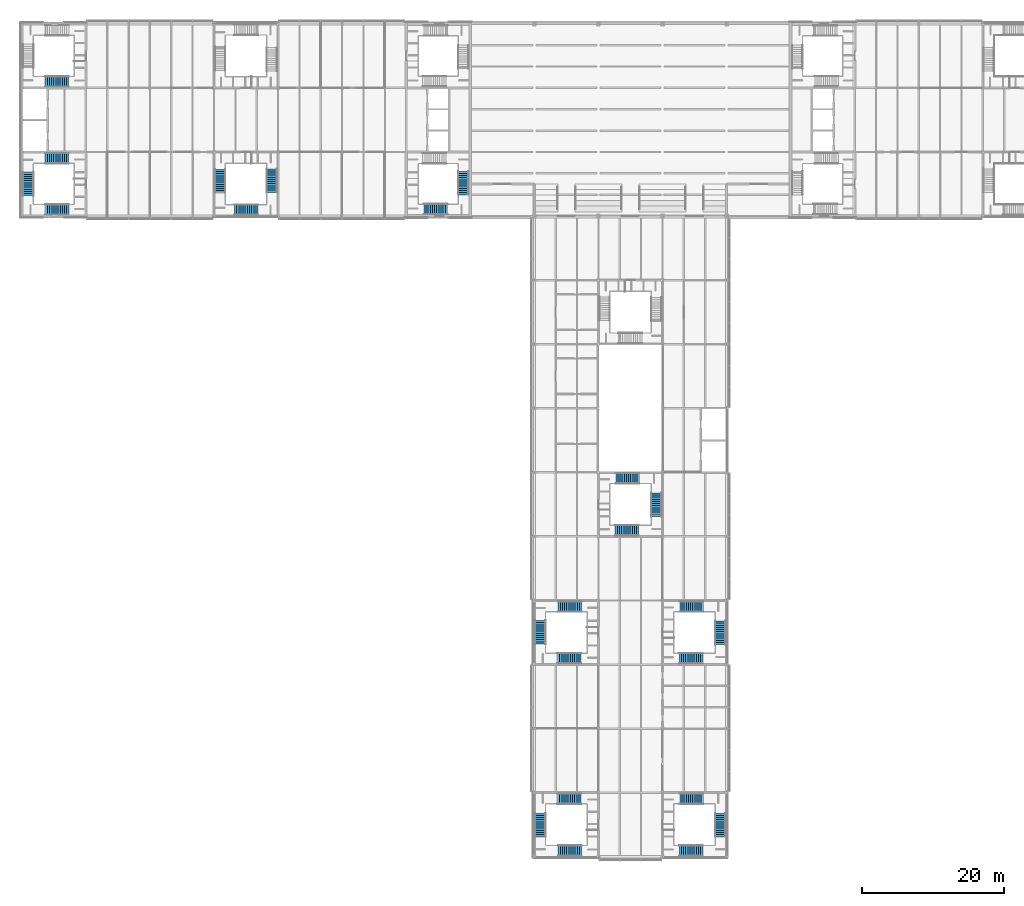
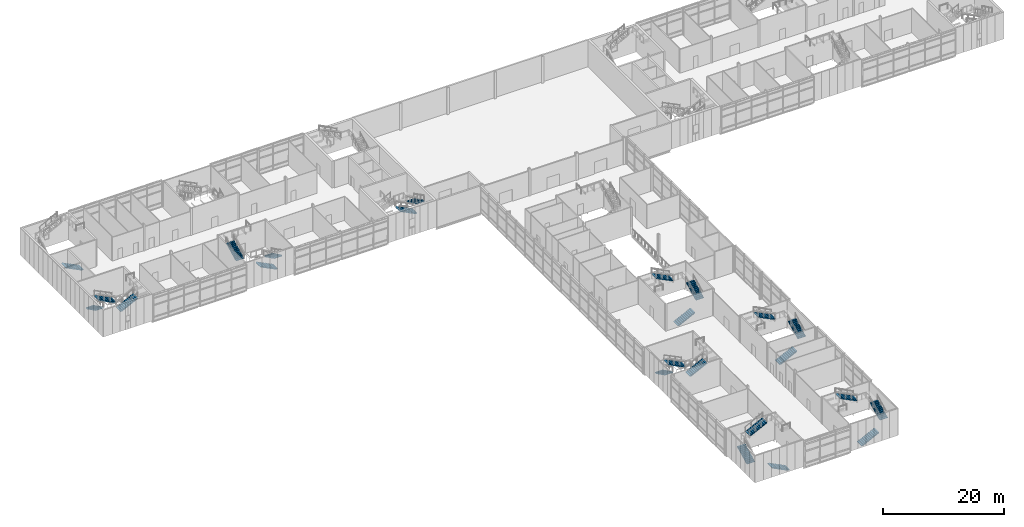
# One storey, part 40 of 52: 24 stair flights, 9 elements without a shape of their own.
"""IFC4 building model written with IfcOpenShell, lengths in metres."""

from ifc_helpers import new_model, si_unit, direction, frame, origin, place, context, subcontext, project, spatial, polyline, outline, extrude, material, type_object, element, aggregate, save


model = new_model("IFC4")

# Units and contexts
model_context = context("Model", 3, precision=1e-05, world=origin(), true_north=direction((0.0, 1.0)))
body_context = subcontext(model_context, "Body", "Model", "MODEL_VIEW")
ifc_project = project(units=[si_unit("LENGTHUNIT", "METRE"), si_unit("AREAUNIT", "SQUARE_METRE"), si_unit("VOLUMEUNIT", "CUBIC_METRE"), si_unit("PLANEANGLEUNIT", "RADIAN"), si_unit("MASSUNIT", "GRAM", prefix="KILO")], contexts=[model_context])

# Site, building, storey
site_placement = place(None, origin())
site = spatial("IfcSite", under=ifc_project, at=site_placement, CompositionType="ELEMENT")
building_placement = place(site_placement, origin())
building = spatial("IfcBuilding", under=site, at=building_placement, Name="Azimuth Sports and Learning Centre", CompositionType="ELEMENT")
storey_placement = place(building_placement, frame((0.0, 0.0, 16.199951171875)))
storey = spatial("IfcBuildingStorey", under=building, at=storey_placement, Name="L03", CompositionType="ELEMENT", Elevation=16.199951171875)

# Stair, stair flights
ifc_material_1 = material(Name="Concrete C32/40", Category="concrete")
stair_type_1 = type_object("IfcStairType", Name="Square-well stair core 5400 storey", PredefinedType="THREE_QUARTER_TURN_STAIR", material=ifc_material_1)
stair_1_placement = place(storey_placement, origin())
stair_1 = element("IfcStair", 1, at=stair_1_placement, inside=storey, type_object=stair_type_1, Name="Stair W1 L03-L04", PredefinedType="THREE_QUARTER_TURN_STAIR")
ifc_material_2 = material(Name="Concrete C32/40", Category="concrete")
stair_flight_type = type_object("IfcStairFlightType", Name="Stair flight 12 risers", PredefinedType="STRAIGHT", material=ifc_material_2)
stair_flight_1_placement = place(storey_placement, frame((62.0400390625, 96.2900390625, 1.800048828125), z_axis=(0.0, 0.0, 1.0), x_axis=(0.0, -1.0, 0.0)))
stair_flight_1 = element("IfcStairFlight", 2, at=stair_flight_1_placement, type_object=stair_flight_type, Name="Stair W1 L03 flight 2", NumberOfRisers=12, NumberOfTreads=11, PredefinedType="STRAIGHT", RiserHeight=0.15, TreadLength=0.3, context=body_context, shape_type="SweptSolid", body=[
    extrude(outline(polyline([(0.0, 0.0), (0.0, 0.14990234375), (0.300048828125, 0.14990234375), (0.300048828125, 0.300048828125), (0.60009765625, 0.300048828125), (0.60009765625, 0.449951171875), (0.89990234375, 0.449951171875), (0.89990234375, 0.60009765625), (1.199951171875, 0.60009765625), (1.199951171875, 0.75), (1.5, 0.75), (1.5, 0.89990234375), (1.800048828125, 0.89990234375), (1.800048828125, 1.050048828125), (2.10009765625, 1.050048828125), (2.10009765625, 1.199951171875), (2.39990234375, 1.199951171875), (2.39990234375, 1.35009765625), (2.699951171875, 1.35009765625), (2.699951171875, 1.5), (3.0, 1.5), (3.0, 1.64990234375), (3.300048828125, 1.64990234375), (3.300048828125, 1.800048828125), (3.300048828125, 1.482421875), (0.335205078125, 0.0), (0.0, 0.0)])), frame((0.0, 0.75, 0.0), z_axis=(0.0, -1.0, 0.0), x_axis=(1.0, 0.0, 0.0)), (0.0, 0.0, 1.0), 1.5),
])
stair_flight_2_placement = place(storey_placement, frame((59.7900390625, 90.9599609375, 3.60009765625), z_axis=(0.0, 0.0, 1.0), x_axis=(-1.0, 0.0, 0.0)))
stair_flight_2 = element("IfcStairFlight", 3, at=stair_flight_2_placement, type_object=stair_flight_type, Name="Stair W1 L03 flight 3", NumberOfRisers=12, NumberOfTreads=11, PredefinedType="STRAIGHT", RiserHeight=0.15, TreadLength=0.3, context=body_context, shape_type="SweptSolid", body=[
    extrude(outline(polyline([(0.0, 0.0), (0.0, 0.14990234375), (0.300048828125, 0.14990234375), (0.300048828125, 0.300048828125), (0.60009765625, 0.300048828125), (0.60009765625, 0.449951171875), (0.89990234375, 0.449951171875), (0.89990234375, 0.60009765625), (1.199951171875, 0.60009765625), (1.199951171875, 0.75), (1.5, 0.75), (1.5, 0.89990234375), (1.800048828125, 0.89990234375), (1.800048828125, 1.050048828125), (2.10009765625, 1.050048828125), (2.10009765625, 1.199951171875), (2.39990234375, 1.199951171875), (2.39990234375, 1.35009765625), (2.699951171875, 1.35009765625), (2.699951171875, 1.5), (3.0, 1.5), (3.0, 1.64990234375), (3.300048828125, 1.64990234375), (3.300048828125, 1.800048828125), (3.300048828125, 1.482421875), (0.335205078125, 0.0), (0.0, 0.0)])), frame((0.0, 0.75, 0.0), z_axis=(0.0, -1.0, 0.0), x_axis=(1.0, 0.0, 0.0)), (0.0, 0.0, 1.0), 1.5),
])
aggregate(stair_1, [stair_flight_1, stair_flight_2])

ifc_material_3 = material(Name="Concrete C32/40", Category="concrete")
stair_type_2 = type_object("IfcStairType", Name="Square-well stair end core 5400 storey", PredefinedType="THREE_QUARTER_TURN_STAIR", material=ifc_material_3)
stair_2_placement = place(storey_placement, origin())
stair_2 = element("IfcStair", 4, at=stair_2_placement, inside=storey, type_object=stair_type_2, Name="Stair WW1 L03-L04", PredefinedType="THREE_QUARTER_TURN_STAIR")
stair_flight_3_placement = place(storey_placement, frame((6.590087890625, 98.114990234375, 0.0), z_axis=(0.0, 0.0, 1.0), x_axis=(-1.0, 0.0, 0.0)))
stair_flight_3 = element("IfcStairFlight", 5, at=stair_flight_3_placement, type_object=stair_flight_type, Name="Stair WW1 L03 flight 1", NumberOfRisers=12, NumberOfTreads=11, PredefinedType="STRAIGHT", RiserHeight=0.15, TreadLength=0.3, context=body_context, shape_type="SweptSolid", body=[
    extrude(outline(polyline([(0.0, 0.0), (0.0, 0.14990234375), (0.300048828125, 0.14990234375), (0.300048828125, 0.300048828125), (0.60009765625, 0.300048828125), (0.60009765625, 0.449951171875), (0.89990234375, 0.449951171875), (0.89990234375, 0.60009765625), (1.199951171875, 0.60009765625), (1.199951171875, 0.75), (1.5, 0.75), (1.5, 0.89990234375), (1.800048828125, 0.89990234375), (1.800048828125, 1.050048828125), (2.10009765625, 1.050048828125), (2.10009765625, 1.199951171875), (2.39990234375, 1.199951171875), (2.39990234375, 1.35009765625), (2.699951171875, 1.35009765625), (2.699951171875, 1.5), (3.0, 1.5), (3.0, 1.64990234375), (3.300048828125, 1.64990234375), (3.300048828125, 1.800048828125), (3.300048828125, 1.482421875), (0.335205078125, 0.0), (0.0, 0.0)])), frame((0.0, 0.75, 0.0), z_axis=(0.0, -1.0, 0.0), x_axis=(1.0, 0.0, 0.0)), (0.0, 0.0, 1.0), 1.5),
])
stair_flight_4_placement = place(storey_placement, frame((0.909912109375, 96.1650390625, 1.800048828125), z_axis=(0.0, 0.0, 1.0), x_axis=(0.0, -1.0, 0.0)))
stair_flight_4 = element("IfcStairFlight", 6, at=stair_flight_4_placement, type_object=stair_flight_type, Name="Stair WW1 L03 flight 2", NumberOfRisers=12, NumberOfTreads=11, PredefinedType="STRAIGHT", RiserHeight=0.15, TreadLength=0.3, context=body_context, shape_type="SweptSolid", body=[
    extrude(outline(polyline([(0.0, 0.0), (0.0, 0.14990234375), (0.300048828125, 0.14990234375), (0.300048828125, 0.300048828125), (0.60009765625, 0.300048828125), (0.60009765625, 0.449951171875), (0.89990234375, 0.449951171875), (0.89990234375, 0.60009765625), (1.199951171875, 0.60009765625), (1.199951171875, 0.75), (1.5, 0.75), (1.5, 0.89990234375), (1.800048828125, 0.89990234375), (1.800048828125, 1.050048828125), (2.10009765625, 1.050048828125), (2.10009765625, 1.199951171875), (2.39990234375, 1.199951171875), (2.39990234375, 1.35009765625), (2.699951171875, 1.35009765625), (2.699951171875, 1.5), (3.0, 1.5), (3.0, 1.64990234375), (3.300048828125, 1.64990234375), (3.300048828125, 1.800048828125), (3.300048828125, 1.482421875), (0.335205078125, 0.0), (0.0, 0.0)])), frame((0.0, 0.75, 0.0), z_axis=(0.0, -1.0, 0.0), x_axis=(1.0, 0.0, 0.0)), (0.0, 0.0, 1.0), 1.5),
])
stair_flight_5_placement = place(storey_placement, frame((3.31005859375, 90.909912109375, 3.60009765625), z_axis=(0.0, 0.0, 1.0), x_axis=(1.0, 0.0, 0.0)))
stair_flight_5 = element("IfcStairFlight", 7, at=stair_flight_5_placement, type_object=stair_flight_type, Name="Stair WW1 L03 flight 3", NumberOfRisers=12, NumberOfTreads=11, PredefinedType="STRAIGHT", RiserHeight=0.15, TreadLength=0.3, context=body_context, shape_type="SweptSolid", body=[
    extrude(outline(polyline([(0.0, 0.0), (0.0, 0.14990234375), (0.300048828125, 0.14990234375), (0.300048828125, 0.300048828125), (0.60009765625, 0.300048828125), (0.60009765625, 0.449951171875), (0.89990234375, 0.449951171875), (0.89990234375, 0.60009765625), (1.199951171875, 0.60009765625), (1.199951171875, 0.75), (1.5, 0.75), (1.5, 0.89990234375), (1.800048828125, 0.89990234375), (1.800048828125, 1.050048828125), (2.10009765625, 1.050048828125), (2.10009765625, 1.199951171875), (2.39990234375, 1.199951171875), (2.39990234375, 1.35009765625), (2.699951171875, 1.35009765625), (2.699951171875, 1.5), (3.0, 1.5), (3.0, 1.64990234375), (3.300048828125, 1.64990234375), (3.300048828125, 1.800048828125), (3.300048828125, 1.482421875), (0.335205078125, 0.0), (0.0, 0.0)])), frame((0.0, 0.75, 0.0), z_axis=(0.0, -1.0, 0.0), x_axis=(1.0, 0.0, 0.0)), (0.0, 0.0, 1.0), 1.5),
])
aggregate(stair_2, [stair_flight_3, stair_flight_4, stair_flight_5])

# Stair, stair flight
stair_3_placement = place(storey_placement, origin())
stair_3 = element("IfcStair", 8, at=stair_3_placement, inside=storey, type_object=stair_type_2, Name="Stair WW2 L03-L04", PredefinedType="THREE_QUARTER_TURN_STAIR")
stair_flight_6_placement = place(storey_placement, frame((6.590087890625, 108.885009765625, 0.0), z_axis=(0.0, 0.0, 1.0), x_axis=(-1.0, 0.0, 0.0)))
stair_flight_6 = element("IfcStairFlight", 9, at=stair_flight_6_placement, type_object=stair_flight_type, Name="Stair WW2 L03 flight 1", NumberOfRisers=12, NumberOfTreads=11, PredefinedType="STRAIGHT", RiserHeight=0.15, TreadLength=0.3, context=body_context, shape_type="SweptSolid", body=[
    extrude(outline(polyline([(0.0, 0.0), (0.0, 0.14990234375), (0.300048828125, 0.14990234375), (0.300048828125, 0.300048828125), (0.60009765625, 0.300048828125), (0.60009765625, 0.449951171875), (0.89990234375, 0.449951171875), (0.89990234375, 0.60009765625), (1.199951171875, 0.60009765625), (1.199951171875, 0.75), (1.5, 0.75), (1.5, 0.89990234375), (1.800048828125, 0.89990234375), (1.800048828125, 1.050048828125), (2.10009765625, 1.050048828125), (2.10009765625, 1.199951171875), (2.39990234375, 1.199951171875), (2.39990234375, 1.35009765625), (2.699951171875, 1.35009765625), (2.699951171875, 1.5), (3.0, 1.5), (3.0, 1.64990234375), (3.300048828125, 1.64990234375), (3.300048828125, 1.800048828125), (3.300048828125, 1.482421875), (0.335205078125, 0.0), (0.0, 0.0)])), frame((0.0, 0.75, 0.0), z_axis=(0.0, -1.0, 0.0), x_axis=(1.0, 0.0, 0.0)), (0.0, 0.0, 1.0), 1.5),
])
aggregate(stair_3, [stair_flight_6])

# Stair, stair flights
ifc_material_4 = material(Name="Concrete C32/40", Category="concrete")
stair_type_3 = type_object("IfcStairType", Name="Square-well stair mid-wing cell 5400 storey", PredefinedType="THREE_QUARTER_TURN_STAIR", material=ifc_material_4)
stair_4_placement = place(storey_placement, origin())
stair_4 = element("IfcStair", 10, at=stair_4_placement, inside=storey, type_object=stair_type_3, Name="Stair WM1 L03-L04", PredefinedType="THREE_QUARTER_TURN_STAIR")
stair_flight_7_placement = place(storey_placement, frame((35.139892578125, 96.639892578125, 0.0), z_axis=(0.0, 0.0, 1.0), x_axis=(0.0, -1.0, 0.0)))
stair_flight_7 = element("IfcStairFlight", 11, at=stair_flight_7_placement, type_object=stair_flight_type, Name="Stair WM1 L03 flight 1", NumberOfRisers=12, NumberOfTreads=11, PredefinedType="STRAIGHT", RiserHeight=0.15, TreadLength=0.3, context=body_context, shape_type="SweptSolid", body=[
    extrude(outline(polyline([(0.0, 0.0), (0.0, 0.14990234375), (0.300048828125, 0.14990234375), (0.300048828125, 0.300048828125), (0.60009765625, 0.300048828125), (0.60009765625, 0.449951171875), (0.89990234375, 0.449951171875), (0.89990234375, 0.60009765625), (1.199951171875, 0.60009765625), (1.199951171875, 0.75), (1.5, 0.75), (1.5, 0.89990234375), (1.800048828125, 0.89990234375), (1.800048828125, 1.050048828125), (2.10009765625, 1.050048828125), (2.10009765625, 1.199951171875), (2.39990234375, 1.199951171875), (2.39990234375, 1.35009765625), (2.699951171875, 1.35009765625), (2.699951171875, 1.5), (3.0, 1.5), (3.0, 1.64990234375), (3.300048828125, 1.64990234375), (3.300048828125, 1.800048828125), (3.300048828125, 1.482421875), (0.335205078125, 0.0), (0.0, 0.0)])), frame((0.0, 0.75, 0.0), z_axis=(0.0, -1.0, 0.0), x_axis=(1.0, 0.0, 0.0)), (0.0, 0.0, 1.0), 1.5),
])
stair_flight_8_placement = place(storey_placement, frame((33.18994140625, 90.860107421875, 1.800048828125), z_axis=(0.0, 0.0, 1.0), x_axis=(-1.0, 0.0, 0.0)))
stair_flight_8 = element("IfcStairFlight", 12, at=stair_flight_8_placement, type_object=stair_flight_type, Name="Stair WM1 L03 flight 2", NumberOfRisers=12, NumberOfTreads=11, PredefinedType="STRAIGHT", RiserHeight=0.15, TreadLength=0.3, context=body_context, shape_type="SweptSolid", body=[
    extrude(outline(polyline([(0.0, 0.0), (0.0, 0.14990234375), (0.300048828125, 0.14990234375), (0.300048828125, 0.300048828125), (0.60009765625, 0.300048828125), (0.60009765625, 0.449951171875), (0.89990234375, 0.449951171875), (0.89990234375, 0.60009765625), (1.199951171875, 0.60009765625), (1.199951171875, 0.75), (1.5, 0.75), (1.5, 0.89990234375), (1.800048828125, 0.89990234375), (1.800048828125, 1.050048828125), (2.10009765625, 1.050048828125), (2.10009765625, 1.199951171875), (2.39990234375, 1.199951171875), (2.39990234375, 1.35009765625), (2.699951171875, 1.35009765625), (2.699951171875, 1.5), (3.0, 1.5), (3.0, 1.64990234375), (3.300048828125, 1.64990234375), (3.300048828125, 1.800048828125), (3.300048828125, 1.482421875), (0.335205078125, 0.0), (0.0, 0.0)])), frame((0.0, 0.75, 0.0), z_axis=(0.0, -1.0, 0.0), x_axis=(1.0, 0.0, 0.0)), (0.0, 0.0, 1.0), 1.5),
])
stair_flight_9_placement = place(storey_placement, frame((27.860107421875, 93.260009765625, 3.60009765625), z_axis=(0.0, 0.0, 1.0), x_axis=(0.0, 1.0, 0.0)))
stair_flight_9 = element("IfcStairFlight", 13, at=stair_flight_9_placement, type_object=stair_flight_type, Name="Stair WM1 L03 flight 3", NumberOfRisers=12, NumberOfTreads=11, PredefinedType="STRAIGHT", RiserHeight=0.15, TreadLength=0.3, context=body_context, shape_type="SweptSolid", body=[
    extrude(outline(polyline([(0.0, 0.0), (0.0, 0.14990234375), (0.300048828125, 0.14990234375), (0.300048828125, 0.300048828125), (0.60009765625, 0.300048828125), (0.60009765625, 0.449951171875), (0.89990234375, 0.449951171875), (0.89990234375, 0.60009765625), (1.199951171875, 0.60009765625), (1.199951171875, 0.75), (1.5, 0.75), (1.5, 0.89990234375), (1.800048828125, 0.89990234375), (1.800048828125, 1.050048828125), (2.10009765625, 1.050048828125), (2.10009765625, 1.199951171875), (2.39990234375, 1.199951171875), (2.39990234375, 1.35009765625), (2.699951171875, 1.35009765625), (2.699951171875, 1.5), (3.0, 1.5), (3.0, 1.64990234375), (3.300048828125, 1.64990234375), (3.300048828125, 1.800048828125), (3.300048828125, 1.482421875), (0.335205078125, 0.0), (0.0, 0.0)])), frame((0.0, 0.75, 0.0), z_axis=(0.0, -1.0, 0.0), x_axis=(1.0, 0.0, 0.0)), (0.0, 0.0, 1.0), 1.5),
])
aggregate(stair_4, [stair_flight_7, stair_flight_8, stair_flight_9])

ifc_material_5 = material(Name="Concrete C32/40", Category="concrete")
stair_type_4 = type_object("IfcStairType", Name="Square-well stair stem cell 5400 storey", PredefinedType="THREE_QUARTER_TURN_STAIR", material=ifc_material_5)
stair_5_placement = place(storey_placement, origin())
stair_5 = element("IfcStair", 14, at=stair_5_placement, inside=storey, type_object=stair_type_4, Name="Stair ST1 L03-L04", PredefinedType="THREE_QUARTER_TURN_STAIR")
stair_flight_10_placement = place(storey_placement, frame((78.639892578125, 0.860107421875, 0.0), z_axis=(0.0, 0.0, 1.0), x_axis=(-1.0, 0.0, 0.0)))
stair_flight_10 = element("IfcStairFlight", 15, at=stair_flight_10_placement, type_object=stair_flight_type, Name="Stair ST1 L03 flight 1", NumberOfRisers=12, NumberOfTreads=11, PredefinedType="STRAIGHT", RiserHeight=0.15, TreadLength=0.3, context=body_context, shape_type="SweptSolid", body=[
    extrude(outline(polyline([(0.0, 0.0), (0.0, 0.14990234375), (0.300048828125, 0.14990234375), (0.300048828125, 0.300048828125), (0.60009765625, 0.300048828125), (0.60009765625, 0.449951171875), (0.89990234375, 0.449951171875), (0.89990234375, 0.60009765625), (1.199951171875, 0.60009765625), (1.199951171875, 0.75), (1.5, 0.75), (1.5, 0.89990234375), (1.800048828125, 0.89990234375), (1.800048828125, 1.050048828125), (2.10009765625, 1.050048828125), (2.10009765625, 1.199951171875), (2.39990234375, 1.199951171875), (2.39990234375, 1.35009765625), (2.699951171875, 1.35009765625), (2.699951171875, 1.5), (3.0, 1.5), (3.0, 1.64990234375), (3.300048828125, 1.64990234375), (3.300048828125, 1.800048828125), (3.300048828125, 1.482421875), (0.335205078125, 0.0), (0.0, 0.0)])), frame((0.0, 0.75, 0.0), z_axis=(0.0, -1.0, 0.0), x_axis=(1.0, 0.0, 0.0)), (0.0, 0.0, 1.0), 1.5),
])
stair_flight_11_placement = place(storey_placement, frame((72.860107421875, 2.81005859375, 1.800048828125), z_axis=(0.0, 0.0, 1.0), x_axis=(0.0, 1.0, 0.0)))
stair_flight_11 = element("IfcStairFlight", 16, at=stair_flight_11_placement, type_object=stair_flight_type, Name="Stair ST1 L03 flight 2", NumberOfRisers=12, NumberOfTreads=11, PredefinedType="STRAIGHT", RiserHeight=0.15, TreadLength=0.3, context=body_context, shape_type="SweptSolid", body=[
    extrude(outline(polyline([(0.0, 0.0), (0.0, 0.14990234375), (0.300048828125, 0.14990234375), (0.300048828125, 0.300048828125), (0.60009765625, 0.300048828125), (0.60009765625, 0.449951171875), (0.89990234375, 0.449951171875), (0.89990234375, 0.60009765625), (1.199951171875, 0.60009765625), (1.199951171875, 0.75), (1.5, 0.75), (1.5, 0.89990234375), (1.800048828125, 0.89990234375), (1.800048828125, 1.050048828125), (2.10009765625, 1.050048828125), (2.10009765625, 1.199951171875), (2.39990234375, 1.199951171875), (2.39990234375, 1.35009765625), (2.699951171875, 1.35009765625), (2.699951171875, 1.5), (3.0, 1.5), (3.0, 1.64990234375), (3.300048828125, 1.64990234375), (3.300048828125, 1.800048828125), (3.300048828125, 1.482421875), (0.335205078125, 0.0), (0.0, 0.0)])), frame((0.0, 0.75, 0.0), z_axis=(0.0, -1.0, 0.0), x_axis=(1.0, 0.0, 0.0)), (0.0, 0.0, 1.0), 1.5),
])
stair_flight_12_placement = place(storey_placement, frame((75.260009765625, 8.139892578125, 3.60009765625), z_axis=(0.0, 0.0, 1.0), x_axis=(1.0, 0.0, 0.0)))
stair_flight_12 = element("IfcStairFlight", 17, at=stair_flight_12_placement, type_object=stair_flight_type, Name="Stair ST1 L03 flight 3", NumberOfRisers=12, NumberOfTreads=11, PredefinedType="STRAIGHT", RiserHeight=0.15, TreadLength=0.3, context=body_context, shape_type="SweptSolid", body=[
    extrude(outline(polyline([(0.0, 0.0), (0.0, 0.14990234375), (0.300048828125, 0.14990234375), (0.300048828125, 0.300048828125), (0.60009765625, 0.300048828125), (0.60009765625, 0.449951171875), (0.89990234375, 0.449951171875), (0.89990234375, 0.60009765625), (1.199951171875, 0.60009765625), (1.199951171875, 0.75), (1.5, 0.75), (1.5, 0.89990234375), (1.800048828125, 0.89990234375), (1.800048828125, 1.050048828125), (2.10009765625, 1.050048828125), (2.10009765625, 1.199951171875), (2.39990234375, 1.199951171875), (2.39990234375, 1.35009765625), (2.699951171875, 1.35009765625), (2.699951171875, 1.5), (3.0, 1.5), (3.0, 1.64990234375), (3.300048828125, 1.64990234375), (3.300048828125, 1.800048828125), (3.300048828125, 1.482421875), (0.335205078125, 0.0), (0.0, 0.0)])), frame((0.0, 0.75, 0.0), z_axis=(0.0, -1.0, 0.0), x_axis=(1.0, 0.0, 0.0)), (0.0, 0.0, 1.0), 1.5),
])
aggregate(stair_5, [stair_flight_10, stair_flight_11, stair_flight_12])

stair_6_placement = place(storey_placement, origin())
stair_6 = element("IfcStair", 18, at=stair_6_placement, inside=storey, type_object=stair_type_4, Name="Stair ST2 L03-L04", PredefinedType="THREE_QUARTER_TURN_STAIR")
stair_flight_13_placement = place(storey_placement, frame((92.360107421875, 0.860107421875, 0.0), z_axis=(0.0, 0.0, 1.0), x_axis=(1.0, 0.0, 0.0)))
stair_flight_13 = element("IfcStairFlight", 19, at=stair_flight_13_placement, type_object=stair_flight_type, Name="Stair ST2 L03 flight 1", NumberOfRisers=12, NumberOfTreads=11, PredefinedType="STRAIGHT", RiserHeight=0.15, TreadLength=0.3, context=body_context, shape_type="SweptSolid", body=[
    extrude(outline(polyline([(0.0, 0.0), (0.0, 0.14990234375), (0.300048828125, 0.14990234375), (0.300048828125, 0.300048828125), (0.60009765625, 0.300048828125), (0.60009765625, 0.449951171875), (0.89990234375, 0.449951171875), (0.89990234375, 0.60009765625), (1.199951171875, 0.60009765625), (1.199951171875, 0.75), (1.5, 0.75), (1.5, 0.89990234375), (1.800048828125, 0.89990234375), (1.800048828125, 1.050048828125), (2.10009765625, 1.050048828125), (2.10009765625, 1.199951171875), (2.39990234375, 1.199951171875), (2.39990234375, 1.35009765625), (2.699951171875, 1.35009765625), (2.699951171875, 1.5), (3.0, 1.5), (3.0, 1.64990234375), (3.300048828125, 1.64990234375), (3.300048828125, 1.800048828125), (3.300048828125, 1.482421875), (0.335205078125, 0.0), (0.0, 0.0)])), frame((0.0, 0.75, 0.0), z_axis=(0.0, -1.0, 0.0), x_axis=(1.0, 0.0, 0.0)), (0.0, 0.0, 1.0), 1.5),
])
stair_flight_14_placement = place(storey_placement, frame((98.139892578125, 2.81005859375, 1.800048828125), z_axis=(0.0, 0.0, 1.0), x_axis=(0.0, 1.0, 0.0)))
stair_flight_14 = element("IfcStairFlight", 20, at=stair_flight_14_placement, type_object=stair_flight_type, Name="Stair ST2 L03 flight 2", NumberOfRisers=12, NumberOfTreads=11, PredefinedType="STRAIGHT", RiserHeight=0.15, TreadLength=0.3, context=body_context, shape_type="SweptSolid", body=[
    extrude(outline(polyline([(0.0, 0.0), (0.0, 0.14990234375), (0.300048828125, 0.14990234375), (0.300048828125, 0.300048828125), (0.60009765625, 0.300048828125), (0.60009765625, 0.449951171875), (0.89990234375, 0.449951171875), (0.89990234375, 0.60009765625), (1.199951171875, 0.60009765625), (1.199951171875, 0.75), (1.5, 0.75), (1.5, 0.89990234375), (1.800048828125, 0.89990234375), (1.800048828125, 1.050048828125), (2.10009765625, 1.050048828125), (2.10009765625, 1.199951171875), (2.39990234375, 1.199951171875), (2.39990234375, 1.35009765625), (2.699951171875, 1.35009765625), (2.699951171875, 1.5), (3.0, 1.5), (3.0, 1.64990234375), (3.300048828125, 1.64990234375), (3.300048828125, 1.800048828125), (3.300048828125, 1.482421875), (0.335205078125, 0.0), (0.0, 0.0)])), frame((0.0, 0.75, 0.0), z_axis=(0.0, -1.0, 0.0), x_axis=(1.0, 0.0, 0.0)), (0.0, 0.0, 1.0), 1.5),
])
stair_flight_15_placement = place(storey_placement, frame((95.739990234375, 8.139892578125, 3.60009765625), z_axis=(0.0, 0.0, 1.0), x_axis=(-1.0, 0.0, 0.0)))
stair_flight_15 = element("IfcStairFlight", 21, at=stair_flight_15_placement, type_object=stair_flight_type, Name="Stair ST2 L03 flight 3", NumberOfRisers=12, NumberOfTreads=11, PredefinedType="STRAIGHT", RiserHeight=0.15, TreadLength=0.3, context=body_context, shape_type="SweptSolid", body=[
    extrude(outline(polyline([(0.0, 0.0), (0.0, 0.14990234375), (0.300048828125, 0.14990234375), (0.300048828125, 0.300048828125), (0.60009765625, 0.300048828125), (0.60009765625, 0.449951171875), (0.89990234375, 0.449951171875), (0.89990234375, 0.60009765625), (1.199951171875, 0.60009765625), (1.199951171875, 0.75), (1.5, 0.75), (1.5, 0.89990234375), (1.800048828125, 0.89990234375), (1.800048828125, 1.050048828125), (2.10009765625, 1.050048828125), (2.10009765625, 1.199951171875), (2.39990234375, 1.199951171875), (2.39990234375, 1.35009765625), (2.699951171875, 1.35009765625), (2.699951171875, 1.5), (3.0, 1.5), (3.0, 1.64990234375), (3.300048828125, 1.64990234375), (3.300048828125, 1.800048828125), (3.300048828125, 1.482421875), (0.335205078125, 0.0), (0.0, 0.0)])), frame((0.0, 0.75, 0.0), z_axis=(0.0, -1.0, 0.0), x_axis=(1.0, 0.0, 0.0)), (0.0, 0.0, 1.0), 1.5),
])
aggregate(stair_6, [stair_flight_13, stair_flight_14, stair_flight_15])

stair_7_placement = place(storey_placement, origin())
stair_7 = element("IfcStair", 22, at=stair_7_placement, inside=storey, type_object=stair_type_4, Name="Stair ST3 L03-L04", PredefinedType="THREE_QUARTER_TURN_STAIR")
stair_flight_16_placement = place(storey_placement, frame((78.639892578125, 35.139892578125, 0.0), z_axis=(0.0, 0.0, 1.0), x_axis=(-1.0, 0.0, 0.0)))
stair_flight_16 = element("IfcStairFlight", 23, at=stair_flight_16_placement, type_object=stair_flight_type, Name="Stair ST3 L03 flight 1", NumberOfRisers=12, NumberOfTreads=11, PredefinedType="STRAIGHT", RiserHeight=0.15, TreadLength=0.3, context=body_context, shape_type="SweptSolid", body=[
    extrude(outline(polyline([(0.0, 0.0), (0.0, 0.14990234375), (0.300048828125, 0.14990234375), (0.300048828125, 0.300048828125), (0.60009765625, 0.300048828125), (0.60009765625, 0.449951171875), (0.89990234375, 0.449951171875), (0.89990234375, 0.60009765625), (1.199951171875, 0.60009765625), (1.199951171875, 0.75), (1.5, 0.75), (1.5, 0.89990234375), (1.800048828125, 0.89990234375), (1.800048828125, 1.050048828125), (2.10009765625, 1.050048828125), (2.10009765625, 1.199951171875), (2.39990234375, 1.199951171875), (2.39990234375, 1.35009765625), (2.699951171875, 1.35009765625), (2.699951171875, 1.5), (3.0, 1.5), (3.0, 1.64990234375), (3.300048828125, 1.64990234375), (3.300048828125, 1.800048828125), (3.300048828125, 1.482421875), (0.335205078125, 0.0), (0.0, 0.0)])), frame((0.0, 0.75, 0.0), z_axis=(0.0, -1.0, 0.0), x_axis=(1.0, 0.0, 0.0)), (0.0, 0.0, 1.0), 1.5),
])
stair_flight_17_placement = place(storey_placement, frame((72.860107421875, 33.18994140625, 1.800048828125), z_axis=(0.0, 0.0, 1.0), x_axis=(0.0, -1.0, 0.0)))
stair_flight_17 = element("IfcStairFlight", 24, at=stair_flight_17_placement, type_object=stair_flight_type, Name="Stair ST3 L03 flight 2", NumberOfRisers=12, NumberOfTreads=11, PredefinedType="STRAIGHT", RiserHeight=0.15, TreadLength=0.3, context=body_context, shape_type="SweptSolid", body=[
    extrude(outline(polyline([(0.0, 0.0), (0.0, 0.14990234375), (0.300048828125, 0.14990234375), (0.300048828125, 0.300048828125), (0.60009765625, 0.300048828125), (0.60009765625, 0.449951171875), (0.89990234375, 0.449951171875), (0.89990234375, 0.60009765625), (1.199951171875, 0.60009765625), (1.199951171875, 0.75), (1.5, 0.75), (1.5, 0.89990234375), (1.800048828125, 0.89990234375), (1.800048828125, 1.050048828125), (2.10009765625, 1.050048828125), (2.10009765625, 1.199951171875), (2.39990234375, 1.199951171875), (2.39990234375, 1.35009765625), (2.699951171875, 1.35009765625), (2.699951171875, 1.5), (3.0, 1.5), (3.0, 1.64990234375), (3.300048828125, 1.64990234375), (3.300048828125, 1.800048828125), (3.300048828125, 1.482421875), (0.335205078125, 0.0), (0.0, 0.0)])), frame((0.0, 0.75, 0.0), z_axis=(0.0, -1.0, 0.0), x_axis=(1.0, 0.0, 0.0)), (0.0, 0.0, 1.0), 1.5),
])
stair_flight_18_placement = place(storey_placement, frame((75.260009765625, 27.860107421875, 3.60009765625), z_axis=(0.0, 0.0, 1.0), x_axis=(1.0, 0.0, 0.0)))
stair_flight_18 = element("IfcStairFlight", 25, at=stair_flight_18_placement, type_object=stair_flight_type, Name="Stair ST3 L03 flight 3", NumberOfRisers=12, NumberOfTreads=11, PredefinedType="STRAIGHT", RiserHeight=0.15, TreadLength=0.3, context=body_context, shape_type="SweptSolid", body=[
    extrude(outline(polyline([(0.0, 0.0), (0.0, 0.14990234375), (0.300048828125, 0.14990234375), (0.300048828125, 0.300048828125), (0.60009765625, 0.300048828125), (0.60009765625, 0.449951171875), (0.89990234375, 0.449951171875), (0.89990234375, 0.60009765625), (1.199951171875, 0.60009765625), (1.199951171875, 0.75), (1.5, 0.75), (1.5, 0.89990234375), (1.800048828125, 0.89990234375), (1.800048828125, 1.050048828125), (2.10009765625, 1.050048828125), (2.10009765625, 1.199951171875), (2.39990234375, 1.199951171875), (2.39990234375, 1.35009765625), (2.699951171875, 1.35009765625), (2.699951171875, 1.5), (3.0, 1.5), (3.0, 1.64990234375), (3.300048828125, 1.64990234375), (3.300048828125, 1.800048828125), (3.300048828125, 1.482421875), (0.335205078125, 0.0), (0.0, 0.0)])), frame((0.0, 0.75, 0.0), z_axis=(0.0, -1.0, 0.0), x_axis=(1.0, 0.0, 0.0)), (0.0, 0.0, 1.0), 1.5),
])
aggregate(stair_7, [stair_flight_16, stair_flight_17, stair_flight_18])

stair_8_placement = place(storey_placement, origin())
stair_8 = element("IfcStair", 26, at=stair_8_placement, inside=storey, type_object=stair_type_4, Name="Stair ST4 L03-L04", PredefinedType="THREE_QUARTER_TURN_STAIR")
stair_flight_19_placement = place(storey_placement, frame((92.360107421875, 27.860107421875, 0.0), z_axis=(0.0, 0.0, 1.0), x_axis=(1.0, 0.0, 0.0)))
stair_flight_19 = element("IfcStairFlight", 27, at=stair_flight_19_placement, type_object=stair_flight_type, Name="Stair ST4 L03 flight 1", NumberOfRisers=12, NumberOfTreads=11, PredefinedType="STRAIGHT", RiserHeight=0.15, TreadLength=0.3, context=body_context, shape_type="SweptSolid", body=[
    extrude(outline(polyline([(0.0, 0.0), (0.0, 0.14990234375), (0.300048828125, 0.14990234375), (0.300048828125, 0.300048828125), (0.60009765625, 0.300048828125), (0.60009765625, 0.449951171875), (0.89990234375, 0.449951171875), (0.89990234375, 0.60009765625), (1.199951171875, 0.60009765625), (1.199951171875, 0.75), (1.5, 0.75), (1.5, 0.89990234375), (1.800048828125, 0.89990234375), (1.800048828125, 1.050048828125), (2.10009765625, 1.050048828125), (2.10009765625, 1.199951171875), (2.39990234375, 1.199951171875), (2.39990234375, 1.35009765625), (2.699951171875, 1.35009765625), (2.699951171875, 1.5), (3.0, 1.5), (3.0, 1.64990234375), (3.300048828125, 1.64990234375), (3.300048828125, 1.800048828125), (3.300048828125, 1.482421875), (0.335205078125, 0.0), (0.0, 0.0)])), frame((0.0, 0.75, 0.0), z_axis=(0.0, -1.0, 0.0), x_axis=(1.0, 0.0, 0.0)), (0.0, 0.0, 1.0), 1.5),
])
stair_flight_20_placement = place(storey_placement, frame((98.139892578125, 29.81005859375, 1.800048828125), z_axis=(0.0, 0.0, 1.0), x_axis=(0.0, 1.0, 0.0)))
stair_flight_20 = element("IfcStairFlight", 28, at=stair_flight_20_placement, type_object=stair_flight_type, Name="Stair ST4 L03 flight 2", NumberOfRisers=12, NumberOfTreads=11, PredefinedType="STRAIGHT", RiserHeight=0.15, TreadLength=0.3, context=body_context, shape_type="SweptSolid", body=[
    extrude(outline(polyline([(0.0, 0.0), (0.0, 0.14990234375), (0.300048828125, 0.14990234375), (0.300048828125, 0.300048828125), (0.60009765625, 0.300048828125), (0.60009765625, 0.449951171875), (0.89990234375, 0.449951171875), (0.89990234375, 0.60009765625), (1.199951171875, 0.60009765625), (1.199951171875, 0.75), (1.5, 0.75), (1.5, 0.89990234375), (1.800048828125, 0.89990234375), (1.800048828125, 1.050048828125), (2.10009765625, 1.050048828125), (2.10009765625, 1.199951171875), (2.39990234375, 1.199951171875), (2.39990234375, 1.35009765625), (2.699951171875, 1.35009765625), (2.699951171875, 1.5), (3.0, 1.5), (3.0, 1.64990234375), (3.300048828125, 1.64990234375), (3.300048828125, 1.800048828125), (3.300048828125, 1.482421875), (0.335205078125, 0.0), (0.0, 0.0)])), frame((0.0, 0.75, 0.0), z_axis=(0.0, -1.0, 0.0), x_axis=(1.0, 0.0, 0.0)), (0.0, 0.0, 1.0), 1.5),
])
stair_flight_21_placement = place(storey_placement, frame((95.739990234375, 35.139892578125, 3.60009765625), z_axis=(0.0, 0.0, 1.0), x_axis=(-1.0, 0.0, 0.0)))
stair_flight_21 = element("IfcStairFlight", 29, at=stair_flight_21_placement, type_object=stair_flight_type, Name="Stair ST4 L03 flight 3", NumberOfRisers=12, NumberOfTreads=11, PredefinedType="STRAIGHT", RiserHeight=0.15, TreadLength=0.3, context=body_context, shape_type="SweptSolid", body=[
    extrude(outline(polyline([(0.0, 0.0), (0.0, 0.14990234375), (0.300048828125, 0.14990234375), (0.300048828125, 0.300048828125), (0.60009765625, 0.300048828125), (0.60009765625, 0.449951171875), (0.89990234375, 0.449951171875), (0.89990234375, 0.60009765625), (1.199951171875, 0.60009765625), (1.199951171875, 0.75), (1.5, 0.75), (1.5, 0.89990234375), (1.800048828125, 0.89990234375), (1.800048828125, 1.050048828125), (2.10009765625, 1.050048828125), (2.10009765625, 1.199951171875), (2.39990234375, 1.199951171875), (2.39990234375, 1.35009765625), (2.699951171875, 1.35009765625), (2.699951171875, 1.5), (3.0, 1.5), (3.0, 1.64990234375), (3.300048828125, 1.64990234375), (3.300048828125, 1.800048828125), (3.300048828125, 1.482421875), (0.335205078125, 0.0), (0.0, 0.0)])), frame((0.0, 0.75, 0.0), z_axis=(0.0, -1.0, 0.0), x_axis=(1.0, 0.0, 0.0)), (0.0, 0.0, 1.0), 1.5),
])
aggregate(stair_8, [stair_flight_19, stair_flight_20, stair_flight_21])

stair_9_placement = place(storey_placement, origin())
stair_9 = element("IfcStair", 30, at=stair_9_placement, inside=storey, type_object=stair_type_4, Name="Stair STC L03-L04", PredefinedType="THREE_QUARTER_TURN_STAIR")
stair_flight_22_placement = place(storey_placement, frame((83.360107421875, 45.860107421875, 0.0), z_axis=(0.0, 0.0, 1.0), x_axis=(1.0, 0.0, 0.0)))
stair_flight_22 = element("IfcStairFlight", 31, at=stair_flight_22_placement, type_object=stair_flight_type, Name="Stair STC L03 flight 1", NumberOfRisers=12, NumberOfTreads=11, PredefinedType="STRAIGHT", RiserHeight=0.15, TreadLength=0.3, context=body_context, shape_type="SweptSolid", body=[
    extrude(outline(polyline([(0.0, 0.0), (0.0, 0.14990234375), (0.300048828125, 0.14990234375), (0.300048828125, 0.300048828125), (0.60009765625, 0.300048828125), (0.60009765625, 0.449951171875), (0.89990234375, 0.449951171875), (0.89990234375, 0.60009765625), (1.199951171875, 0.60009765625), (1.199951171875, 0.75), (1.5, 0.75), (1.5, 0.89990234375), (1.800048828125, 0.89990234375), (1.800048828125, 1.050048828125), (2.10009765625, 1.050048828125), (2.10009765625, 1.199951171875), (2.39990234375, 1.199951171875), (2.39990234375, 1.35009765625), (2.699951171875, 1.35009765625), (2.699951171875, 1.5), (3.0, 1.5), (3.0, 1.64990234375), (3.300048828125, 1.64990234375), (3.300048828125, 1.800048828125), (3.300048828125, 1.482421875), (0.335205078125, 0.0), (0.0, 0.0)])), frame((0.0, 0.75, 0.0), z_axis=(0.0, -1.0, 0.0), x_axis=(1.0, 0.0, 0.0)), (0.0, 0.0, 1.0), 1.5),
])
stair_flight_23_placement = place(storey_placement, frame((89.139892578125, 47.81005859375, 1.800048828125), z_axis=(0.0, 0.0, 1.0), x_axis=(0.0, 1.0, 0.0)))
stair_flight_23 = element("IfcStairFlight", 32, at=stair_flight_23_placement, type_object=stair_flight_type, Name="Stair STC L03 flight 2", NumberOfRisers=12, NumberOfTreads=11, PredefinedType="STRAIGHT", RiserHeight=0.15, TreadLength=0.3, context=body_context, shape_type="SweptSolid", body=[
    extrude(outline(polyline([(0.0, 0.0), (0.0, 0.14990234375), (0.300048828125, 0.14990234375), (0.300048828125, 0.300048828125), (0.60009765625, 0.300048828125), (0.60009765625, 0.449951171875), (0.89990234375, 0.449951171875), (0.89990234375, 0.60009765625), (1.199951171875, 0.60009765625), (1.199951171875, 0.75), (1.5, 0.75), (1.5, 0.89990234375), (1.800048828125, 0.89990234375), (1.800048828125, 1.050048828125), (2.10009765625, 1.050048828125), (2.10009765625, 1.199951171875), (2.39990234375, 1.199951171875), (2.39990234375, 1.35009765625), (2.699951171875, 1.35009765625), (2.699951171875, 1.5), (3.0, 1.5), (3.0, 1.64990234375), (3.300048828125, 1.64990234375), (3.300048828125, 1.800048828125), (3.300048828125, 1.482421875), (0.335205078125, 0.0), (0.0, 0.0)])), frame((0.0, 0.75, 0.0), z_axis=(0.0, -1.0, 0.0), x_axis=(1.0, 0.0, 0.0)), (0.0, 0.0, 1.0), 1.5),
])
stair_flight_24_placement = place(storey_placement, frame((86.739990234375, 53.139892578125, 3.60009765625), z_axis=(0.0, 0.0, 1.0), x_axis=(-1.0, 0.0, 0.0)))
stair_flight_24 = element("IfcStairFlight", 33, at=stair_flight_24_placement, type_object=stair_flight_type, Name="Stair STC L03 flight 3", NumberOfRisers=12, NumberOfTreads=11, PredefinedType="STRAIGHT", RiserHeight=0.15, TreadLength=0.3, context=body_context, shape_type="SweptSolid", body=[
    extrude(outline(polyline([(0.0, 0.0), (0.0, 0.14990234375), (0.300048828125, 0.14990234375), (0.300048828125, 0.300048828125), (0.60009765625, 0.300048828125), (0.60009765625, 0.449951171875), (0.89990234375, 0.449951171875), (0.89990234375, 0.60009765625), (1.199951171875, 0.60009765625), (1.199951171875, 0.75), (1.5, 0.75), (1.5, 0.89990234375), (1.800048828125, 0.89990234375), (1.800048828125, 1.050048828125), (2.10009765625, 1.050048828125), (2.10009765625, 1.199951171875), (2.39990234375, 1.199951171875), (2.39990234375, 1.35009765625), (2.699951171875, 1.35009765625), (2.699951171875, 1.5), (3.0, 1.5), (3.0, 1.64990234375), (3.300048828125, 1.64990234375), (3.300048828125, 1.800048828125), (3.300048828125, 1.482421875), (0.335205078125, 0.0), (0.0, 0.0)])), frame((0.0, 0.75, 0.0), z_axis=(0.0, -1.0, 0.0), x_axis=(1.0, 0.0, 0.0)), (0.0, 0.0, 1.0), 1.5),
])
aggregate(stair_9, [stair_flight_22, stair_flight_23, stair_flight_24])

save(model, "model.ifc")
